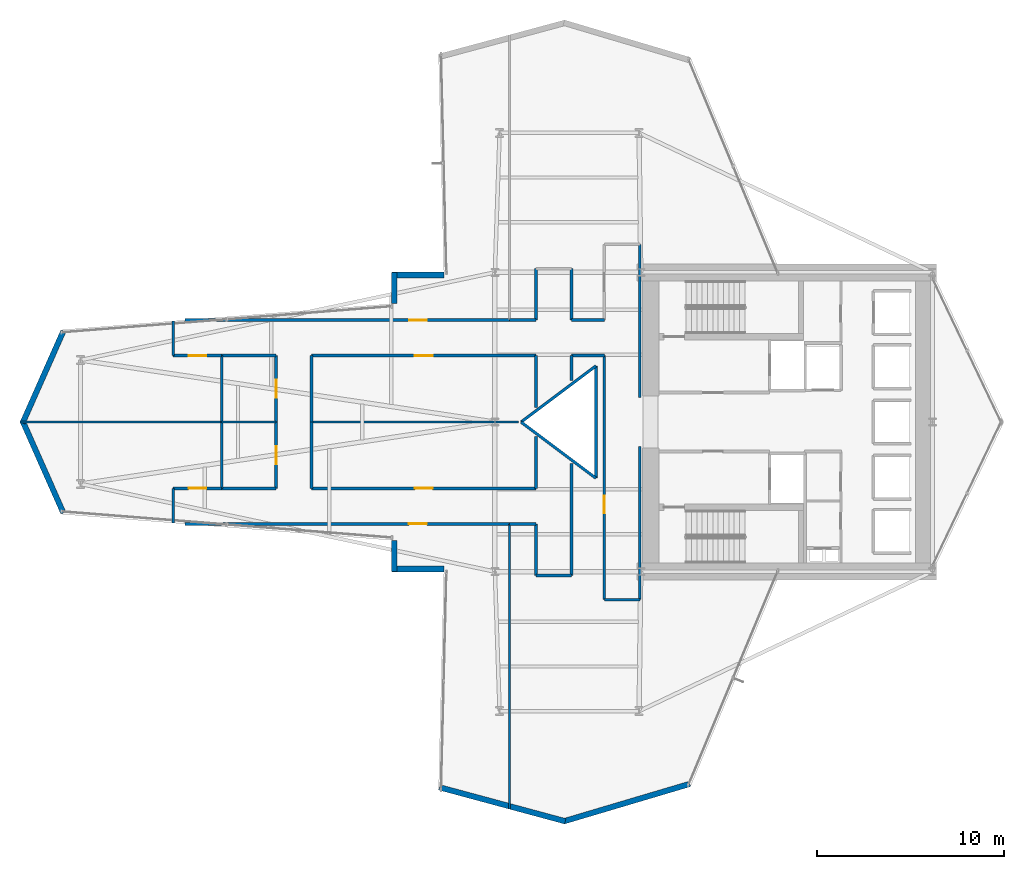
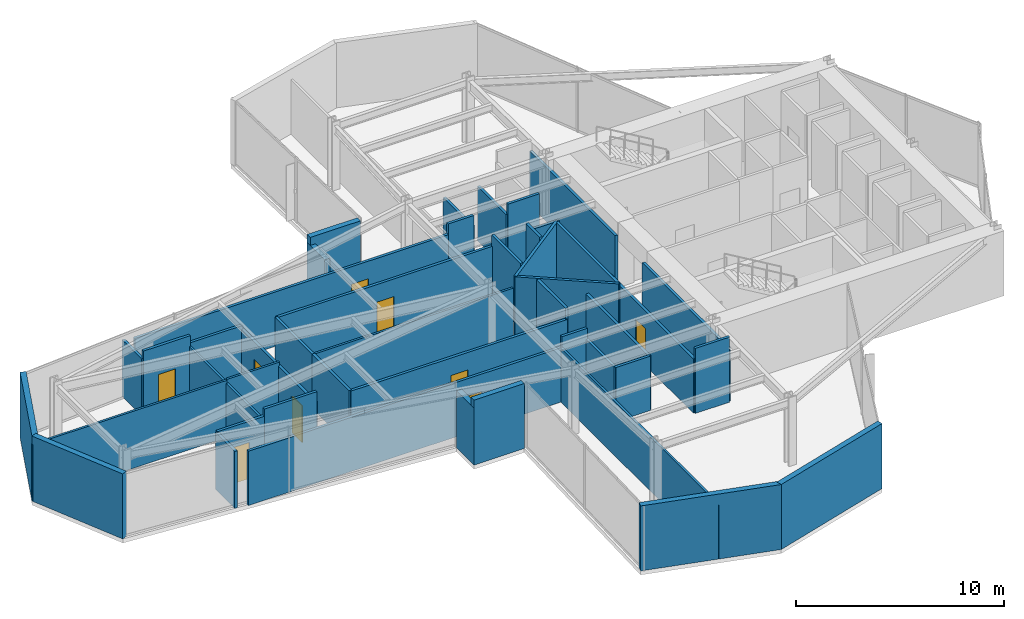
# One storey, part 21 of 24: 47 walls, 9 doors, 9 openings.
"""IFC4 building model written with IfcOpenShell, lengths in metres."""

from ifc_helpers import new_model, si_unit, direction, frame, frame_2d, origin, place, context, subcontext, project, spatial, rectangle, extrude, material, layer, layer_set, type_object, element, fill, save


model = new_model("IFC4")

# Units and contexts
model_context = context("Model", 3, precision=1e-05, world=origin(), true_north=direction((0.0, 1.0)))
body_context = subcontext(model_context, "Body", "Model", "MODEL_VIEW")
ifc_project = project(units=[si_unit("LENGTHUNIT", "METRE"), si_unit("AREAUNIT", "SQUARE_METRE"), si_unit("VOLUMEUNIT", "CUBIC_METRE"), si_unit("PLANEANGLEUNIT", "RADIAN"), si_unit("MASSUNIT", "GRAM", prefix="KILO")], contexts=[model_context])

# Site, building, storey
site_placement = place(None, origin())
site = spatial("IfcSite", under=ifc_project, at=site_placement, CompositionType="ELEMENT")
building_placement = place(site_placement, origin())
building = spatial("IfcBuilding", under=site, at=building_placement, Name="Veymaron Broadcast Tower", CompositionType="ELEMENT")
storey_placement = place(building_placement, frame((0.0, 0.0, 78.300048828125)))
storey = spatial("IfcBuildingStorey", under=building, at=storey_placement, Name="L17", CompositionType="ELEMENT", Elevation=78.300048828125)

# Walls
ifc_material_1 = material(Name="Precast concrete C40/50 with mineral-wool insulation", Category="concrete")
ifc_layer_1 = layer(ifc_material_1, 0.300048828125)
ifc_layer_set_1 = layer_set([ifc_layer_1], Name="Precast concrete C40/50 with mineral-wool insulation")
wall_type_1 = type_object("IfcWallType", Name="WALL-EXT-300", PredefinedType="STANDARD", material=ifc_layer_set_1)
wall_1_placement = place(storey_placement, frame((28.468505859375, 31.860107421875, 0.0), z_axis=(0.0, 0.0, 1.0), x_axis=(-1.0, 0.0, 0.0)))
element("IfcWall", 1, at=wall_1_placement, inside=storey, type_object=wall_type_1, Name="L17 notched corner facade pier 9-1", PredefinedType="STANDARD", context=body_context, shape_type="SweptSolid", body=[
    extrude(rectangle(XDim=2.780517578125, YDim=0.300048828125, at=frame_2d((1.39013671875, 0.0))), origin(), (0.0, 0.0, 1.0), 3.81005859375),
])
wall_2_placement = place(storey_placement, frame((25.827880859375, 32.0, 0.0), z_axis=(0.0, 0.0, 1.0), x_axis=(0.0, -1.0, 0.0)))
element("IfcWall", 2, at=wall_2_placement, inside=storey, type_object=wall_type_1, Name="L17 notched corner facade pier 10-1", PredefinedType="STANDARD", context=body_context, shape_type="SweptSolid", body=[
    extrude(rectangle(XDim=1.67529296875, YDim=0.300048828125, at=frame_2d((0.837646484375, 0.0))), origin(), (0.0, 0.0, 1.0), 3.337890625),
])
for number, where, z_axis, x_axis, name in (
    (3, (8.1279296875, 28.8701171875, 0.0), (0.0, 0.0, 1.0), (-0.405234544412, -0.914212756428, 0.0), "L17 notched corner facade pier 12-1"),
    (4, (5.944091796875, 24.056640625, 0.0), (0.0, 0.0, 1.0), (0.405234544412, -0.914212756428, 0.0), "L17 notched corner facade pier 13-1"),
):
    element("IfcWall", number, at=place(storey_placement, frame(where, z_axis=z_axis, x_axis=x_axis)), inside=storey, type_object=wall_type_1, Name=name, PredefinedType="STANDARD", context=body_context, shape_type="SweptSolid", body=[
        extrude(rectangle(XDim=5.38916015625, YDim=0.300048828125, at=frame_2d((2.694580078125, 0.0))), origin(), (0.0, 0.0, 1.0), 3.81005859375),
    ])
wall_3_placement = place(storey_placement, frame((25.827880859375, 17.67529296875, 0.0), z_axis=(0.0, 0.0, 1.0), x_axis=(0.0, -1.0, 0.0)))
element("IfcWall", 5, at=wall_3_placement, inside=storey, type_object=wall_type_1, Name="L17 notched corner facade pier 15-1", PredefinedType="STANDARD", context=body_context, shape_type="SweptSolid", body=[
    extrude(rectangle(XDim=1.67529296875, YDim=0.300048828125, at=frame_2d((0.837646484375, 0.0))), origin(), (0.0, 0.0, 1.0), 3.337890625),
])
wall_4_placement = place(storey_placement, frame((25.68798828125, 16.139892578125, 0.0), z_axis=(0.0, 0.0, 1.0), x_axis=(1.0, 0.0, 0.0)))
element("IfcWall", 6, at=wall_4_placement, inside=storey, type_object=wall_type_1, Name="L17 notched corner facade pier 16-1", PredefinedType="STANDARD", context=body_context, shape_type="SweptSolid", body=[
    extrude(rectangle(XDim=2.780517578125, YDim=0.300048828125, at=frame_2d((1.39013671875, 0.0))), origin(), (0.0, 0.0, 1.0), 3.81005859375),
])
wall_5_placement = place(storey_placement, frame((28.220458984375, 4.46923828125, 0.0), z_axis=(0.0, 0.0, 1.0), x_axis=(0.965438319853, -0.260631637679, 0.0)))
element("IfcWall", 7, at=wall_5_placement, inside=storey, type_object=wall_type_1, Name="L17 notched corner facade pier 18-1", PredefinedType="STANDARD", context=body_context, shape_type="SweptSolid", body=[
    extrude(rectangle(XDim=6.9833984375, YDim=0.300048828125, at=frame_2d((3.49169921875, 0.0))), origin(), (0.0, 0.0, 1.0), 3.81005859375),
])
wall_6_placement = place(storey_placement, frame((34.885986328125, 2.648193359375, 0.0), z_axis=(0.0, 0.0, 1.0), x_axis=(0.958632659024, 0.284646140064, 0.0)))
element("IfcWall", 8, at=wall_6_placement, inside=storey, type_object=wall_type_1, Name="L17 notched corner facade pier 19-1", PredefinedType="STANDARD", context=body_context, shape_type="SweptSolid", body=[
    extrude(rectangle(XDim=7.033203125, YDim=0.300048828125, at=frame_2d((3.5166015625, 0.0))), origin(), (0.0, 0.0, 1.0), 3.81005859375),
])

# Wall, opening, door
ifc_material_2 = material(Name="Gypsum fireboard and steel stud framing", Category="steel")
ifc_layer_2 = layer(ifc_material_2, 0.14990234375)
ifc_layer_set_2 = layer_set([ifc_layer_2], Name="Gypsum fireboard and steel stud framing")
wall_type_2 = type_object("IfcWallType", Name="WALL-FIRE-150", PredefinedType="PARTITIONING", material=ifc_layer_set_2)
wall_7_placement = place(storey_placement, frame((37.050048828125, 14.5, 0.0), z_axis=(0.0, 0.0, 1.0), x_axis=(0.0, 1.0, 0.0)))
wall_7 = element("IfcWall", 9, at=wall_7_placement, inside=storey, type_object=wall_type_2, Name="L17 partition IW-L17-P01", PredefinedType="PARTITIONING", context=body_context, shape_type="SweptSolid", body=[
    extrude(rectangle(XDim=13.050048828125, YDim=0.14990234375, at=frame_2d((6.52490234375, 0.0))), origin(), (0.0, 0.0, 1.0), 3.180908203125),
])
opening_1_placement = place(wall_7_placement, frame((4.610107421875, 0.0, 0.0)))
opening_1 = element("IfcOpeningElement", 10, at=opening_1_placement, cuts=wall_7, Name="Opening ID-RM1", PredefinedType="OPENING", context=body_context, shape_type="SweptSolid", body=[
    extrude(rectangle(XDim=0.949951171875, YDim=2.14990234375, at=frame_2d((0.47509765625, 1.074951171875))), frame((0.0, 0.0849609375, 0.0), z_axis=(0.0, -1.0, 0.0), x_axis=(1.0, 0.0, 0.0)), (0.0, 0.0, 1.0), 0.169921875),
])
ifc_material_3 = material(Name="Acoustic solid-core European oak veneer timber", Category="wood")
door_type = type_object("IfcDoorType", Name="DOOR-INT-950", OperationType="NOTDEFINED", PredefinedType="DOOR", material=ifc_material_3)
door_1_placement = place(opening_1_placement, frame((0.949951171875, 0.0, 0.0), z_axis=(0.0, 0.0, 1.0), x_axis=(-1.0, 0.0, 0.0)))
door_1 = element("IfcDoor", 11, at=door_1_placement, inside=storey, type_object=door_type, Name="L17 door DR-L17-P01", OperationType="SINGLE_SWING_RIGHT", OverallHeight=2.14990234375, OverallWidth=0.949951171875, PredefinedType="DOOR", context=body_context, shape_type="SweptSolid", body=[
    extrude(rectangle(XDim=0.949951171875, YDim=2.14990234375, at=frame_2d((0.47509765625, 1.074951171875))), frame((0.0, 0.02490234375, 0.0), z_axis=(0.0, -1.0, 0.0), x_axis=(1.0, 0.0, 0.0)), (0.0, 0.0, 1.0), 0.050048828125),
])
fill(opening_1, door_1)

wall_8_placement = place(storey_placement, frame((14.619873046875, 18.550048828125, 0.0), z_axis=(0.0, 0.0, 1.0), x_axis=(1.0, 0.0, 0.0)))
wall_8 = element("IfcWall", 12, at=wall_8_placement, inside=storey, type_object=wall_type_2, Name="L17 partition IW-L17-P10", PredefinedType="PARTITIONING", context=body_context, shape_type="SweptSolid", body=[
    extrude(rectangle(XDim=17.364013671875, YDim=0.14990234375, at=frame_2d((8.68212890625, 0.0))), origin(), (0.0, 0.0, 1.0), 3.180908203125),
])
opening_2_placement = place(wall_8_placement, frame((11.987060546875, 0.0, 0.0)))
opening_2 = element("IfcOpeningElement", 13, at=opening_2_placement, cuts=wall_8, Name="Opening ID-RM1", PredefinedType="OPENING", context=body_context, shape_type="SweptSolid", body=[
    extrude(rectangle(XDim=0.949951171875, YDim=2.14990234375, at=frame_2d((0.47509765625, 1.074951171875))), frame((0.0, 0.0849609375, 0.0), z_axis=(0.0, -1.0, 0.0), x_axis=(1.0, 0.0, 0.0)), (0.0, 0.0, 1.0), 0.169921875),
])
door_2_placement = place(opening_2_placement, frame((0.949951171875, 0.0, 0.0), z_axis=(0.0, 0.0, 1.0), x_axis=(-1.0, 0.0, 0.0)))
door_2 = element("IfcDoor", 14, at=door_2_placement, inside=storey, type_object=door_type, Name="L17 door DR-L17-P10", OperationType="SINGLE_SWING_LEFT", OverallHeight=2.14990234375, OverallWidth=0.949951171875, PredefinedType="DOOR", context=body_context, shape_type="SweptSolid", body=[
    extrude(rectangle(XDim=0.949951171875, YDim=2.14990234375, at=frame_2d((0.47509765625, 1.074951171875))), frame((0.0, 0.02490234375, 0.0), z_axis=(0.0, -1.0, 0.0), x_axis=(1.0, 0.0, 0.0)), (0.0, 0.0, 1.0), 0.050048828125),
])
fill(opening_2, door_2)

wall_9_placement = place(storey_placement, frame((14.0, 20.449951171875, 0.0), z_axis=(0.0, 0.0, 1.0), x_axis=(1.0, 0.0, 0.0)))
wall_9 = element("IfcWall", 15, at=wall_9_placement, inside=storey, type_object=wall_type_2, Name="L17 partition IW-L17-P11", PredefinedType="PARTITIONING", context=body_context, shape_type="SweptSolid", body=[
    extrude(rectangle(XDim=2.591064453125, YDim=0.14990234375, at=frame_2d((1.29541015625, 0.0))), origin(), (0.0, 0.0, 1.0), 3.390869140625),
])
opening_3_placement = place(wall_9_placement, frame((0.820556640625, 0.0, 0.0)))
opening_3 = element("IfcOpeningElement", 16, at=opening_3_placement, cuts=wall_9, Name="Opening ID-RM1", PredefinedType="OPENING", context=body_context, shape_type="SweptSolid", body=[
    extrude(rectangle(XDim=0.949951171875, YDim=2.14990234375, at=frame_2d((0.47509765625, 1.074951171875))), frame((0.0, 0.0849609375, 0.0), z_axis=(0.0, -1.0, 0.0), x_axis=(1.0, 0.0, 0.0)), (0.0, 0.0, 1.0), 0.169921875),
])
door_3_placement = place(opening_3_placement, origin())
door_3 = element("IfcDoor", 17, at=door_3_placement, inside=storey, type_object=door_type, Name="L17 door DR-L17-P11", OperationType="SINGLE_SWING_RIGHT", OverallHeight=2.14990234375, OverallWidth=0.949951171875, PredefinedType="DOOR", context=body_context, shape_type="SweptSolid", body=[
    extrude(rectangle(XDim=0.949951171875, YDim=2.14990234375, at=frame_2d((0.47509765625, 1.074951171875))), frame((0.0, 0.02490234375, 0.0), z_axis=(0.0, -1.0, 0.0), x_axis=(1.0, 0.0, 0.0)), (0.0, 0.0, 1.0), 0.050048828125),
])
fill(opening_3, door_3)

wall_10_placement = place(storey_placement, frame((21.39990234375, 20.449951171875, 0.0), z_axis=(0.0, 0.0, 1.0), x_axis=(1.0, 0.0, 0.0)))
wall_10 = element("IfcWall", 18, at=wall_10_placement, inside=storey, type_object=wall_type_2, Name="L17 partition IW-L17-P13", PredefinedType="PARTITIONING", context=body_context, shape_type="SweptSolid", body=[
    extrude(rectangle(XDim=12.0, YDim=0.14990234375, at=frame_2d((6.0, 0.0))), origin(), (0.0, 0.0, 1.0), 3.180908203125),
])
opening_4_placement = place(wall_10_placement, frame((5.52490234375, 0.0, 0.0)))
opening_4 = element("IfcOpeningElement", 19, at=opening_4_placement, cuts=wall_10, Name="Opening ID-RM1", PredefinedType="OPENING", context=body_context, shape_type="SweptSolid", body=[
    extrude(rectangle(XDim=0.949951171875, YDim=2.14990234375, at=frame_2d((0.47509765625, 1.074951171875))), frame((0.0, 0.0849609375, 0.0), z_axis=(0.0, -1.0, 0.0), x_axis=(1.0, 0.0, 0.0)), (0.0, 0.0, 1.0), 0.169921875),
])
door_4_placement = place(opening_4_placement, origin())
door_4 = element("IfcDoor", 20, at=door_4_placement, inside=storey, type_object=door_type, Name="L17 door DR-L17-P13", OperationType="SINGLE_SWING_RIGHT", OverallHeight=2.14990234375, OverallWidth=0.949951171875, PredefinedType="DOOR", context=body_context, shape_type="SweptSolid", body=[
    extrude(rectangle(XDim=0.949951171875, YDim=2.14990234375, at=frame_2d((0.47509765625, 1.074951171875))), frame((0.0, 0.02490234375, 0.0), z_axis=(0.0, -1.0, 0.0), x_axis=(1.0, 0.0, 0.0)), (0.0, 0.0, 1.0), 0.050048828125),
])
fill(opening_4, door_4)

wall_11_placement = place(storey_placement, frame((19.5, 20.449951171875, 0.0), z_axis=(0.0, 0.0, 1.0), x_axis=(0.0, 1.0, 0.0)))
wall_11 = element("IfcWall", 21, at=wall_11_placement, inside=storey, type_object=wall_type_2, Name="L17 partition IW-L17-P16", PredefinedType="PARTITIONING", context=body_context, shape_type="SweptSolid", body=[
    extrude(rectangle(XDim=3.550048828125, YDim=0.14990234375, at=frame_2d((1.77490234375, 0.0))), origin(), (0.0, 0.0, 1.0), 3.180908203125),
])
opening_5_placement = place(wall_11_placement, frame((1.300048828125, 0.0, 0.0)))
opening_5 = element("IfcOpeningElement", 22, at=opening_5_placement, cuts=wall_11, Name="Opening ID-RM1", PredefinedType="OPENING", context=body_context, shape_type="SweptSolid", body=[
    extrude(rectangle(XDim=0.949951171875, YDim=2.14990234375, at=frame_2d((0.47509765625, 1.074951171875))), frame((0.0, 0.0849609375, 0.0), z_axis=(0.0, -1.0, 0.0), x_axis=(1.0, 0.0, 0.0)), (0.0, 0.0, 1.0), 0.169921875),
])
door_5_placement = place(opening_5_placement, origin())
door_5 = element("IfcDoor", 23, at=door_5_placement, inside=storey, type_object=door_type, Name="L17 door DR-L17-P16", OperationType="SINGLE_SWING_LEFT", OverallHeight=2.14990234375, OverallWidth=0.949951171875, PredefinedType="DOOR", context=body_context, shape_type="SweptSolid", body=[
    extrude(rectangle(XDim=0.949951171875, YDim=2.14990234375, at=frame_2d((0.47509765625, 1.074951171875))), frame((0.0, 0.02490234375, 0.0), z_axis=(0.0, -1.0, 0.0), x_axis=(1.0, 0.0, 0.0)), (0.0, 0.0, 1.0), 0.050048828125),
])
fill(opening_5, door_5)

wall_12_placement = place(storey_placement, frame((19.5, 24.0, 0.0), z_axis=(0.0, 0.0, 1.0), x_axis=(0.0, 1.0, 0.0)))
wall_12 = element("IfcWall", 24, at=wall_12_placement, inside=storey, type_object=wall_type_2, Name="L17 partition IW-L17-P18", PredefinedType="PARTITIONING", context=body_context, shape_type="SweptSolid", body=[
    extrude(rectangle(XDim=3.550048828125, YDim=0.14990234375, at=frame_2d((1.77490234375, 0.0))), origin(), (0.0, 0.0, 1.0), 3.180908203125),
])
opening_6_placement = place(wall_12_placement, frame((1.300048828125, 0.0, 0.0)))
opening_6 = element("IfcOpeningElement", 25, at=opening_6_placement, cuts=wall_12, Name="Opening ID-RM1", PredefinedType="OPENING", context=body_context, shape_type="SweptSolid", body=[
    extrude(rectangle(XDim=0.949951171875, YDim=2.14990234375, at=frame_2d((0.47509765625, 1.074951171875))), frame((0.0, 0.0849609375, 0.0), z_axis=(0.0, -1.0, 0.0), x_axis=(1.0, 0.0, 0.0)), (0.0, 0.0, 1.0), 0.169921875),
])
door_6_placement = place(opening_6_placement, origin())
door_6 = element("IfcDoor", 26, at=door_6_placement, inside=storey, type_object=door_type, Name="L17 door DR-L17-P18", OperationType="SINGLE_SWING_LEFT", OverallHeight=2.14990234375, OverallWidth=0.949951171875, PredefinedType="DOOR", context=body_context, shape_type="SweptSolid", body=[
    extrude(rectangle(XDim=0.949951171875, YDim=2.14990234375, at=frame_2d((0.47509765625, 1.074951171875))), frame((0.0, 0.02490234375, 0.0), z_axis=(0.0, -1.0, 0.0), x_axis=(1.0, 0.0, 0.0)), (0.0, 0.0, 1.0), 0.050048828125),
])
fill(opening_6, door_6)

wall_13_placement = place(storey_placement, frame((21.39990234375, 27.550048828125, 0.0), z_axis=(0.0, 0.0, 1.0), x_axis=(1.0, 0.0, 0.0)))
wall_13 = element("IfcWall", 27, at=wall_13_placement, inside=storey, type_object=wall_type_2, Name="L17 partition IW-L17-P20", PredefinedType="PARTITIONING", context=body_context, shape_type="SweptSolid", body=[
    extrude(rectangle(XDim=12.0, YDim=0.14990234375, at=frame_2d((6.0, 0.0))), origin(), (0.0, 0.0, 1.0), 3.180908203125),
])
opening_7_placement = place(wall_13_placement, frame((5.52490234375, 0.0, 0.0)))
opening_7 = element("IfcOpeningElement", 28, at=opening_7_placement, cuts=wall_13, Name="Opening ID-RM1", PredefinedType="OPENING", context=body_context, shape_type="SweptSolid", body=[
    extrude(rectangle(XDim=0.949951171875, YDim=2.14990234375, at=frame_2d((0.47509765625, 1.074951171875))), frame((0.0, 0.0849609375, 0.0), z_axis=(0.0, -1.0, 0.0), x_axis=(1.0, 0.0, 0.0)), (0.0, 0.0, 1.0), 0.169921875),
])
door_7_placement = place(opening_7_placement, frame((0.949951171875, 0.0, 0.0), z_axis=(0.0, 0.0, 1.0), x_axis=(-1.0, 0.0, 0.0)))
door_7 = element("IfcDoor", 29, at=door_7_placement, inside=storey, type_object=door_type, Name="L17 door DR-L17-P20", OperationType="SINGLE_SWING_LEFT", OverallHeight=2.14990234375, OverallWidth=0.949951171875, PredefinedType="DOOR", context=body_context, shape_type="SweptSolid", body=[
    extrude(rectangle(XDim=0.949951171875, YDim=2.14990234375, at=frame_2d((0.47509765625, 1.074951171875))), frame((0.0, 0.02490234375, 0.0), z_axis=(0.0, -1.0, 0.0), x_axis=(1.0, 0.0, 0.0)), (0.0, 0.0, 1.0), 0.050048828125),
])
fill(opening_7, door_7)

wall_14_placement = place(storey_placement, frame((14.0, 27.550048828125, 0.0), z_axis=(0.0, 0.0, 1.0), x_axis=(1.0, 0.0, 0.0)))
wall_14 = element("IfcWall", 30, at=wall_14_placement, inside=storey, type_object=wall_type_2, Name="L17 partition IW-L17-P23", PredefinedType="PARTITIONING", context=body_context, shape_type="SweptSolid", body=[
    extrude(rectangle(XDim=2.591064453125, YDim=0.14990234375, at=frame_2d((1.29541015625, 0.0))), origin(), (0.0, 0.0, 1.0), 3.81005859375),
])
opening_8_placement = place(wall_14_placement, frame((0.820556640625, 0.0, 0.0)))
opening_8 = element("IfcOpeningElement", 31, at=opening_8_placement, cuts=wall_14, Name="Opening ID-RM1", PredefinedType="OPENING", context=body_context, shape_type="SweptSolid", body=[
    extrude(rectangle(XDim=0.949951171875, YDim=2.14990234375, at=frame_2d((0.47509765625, 1.074951171875))), frame((0.0, 0.0849609375, 0.0), z_axis=(0.0, -1.0, 0.0), x_axis=(1.0, 0.0, 0.0)), (0.0, 0.0, 1.0), 0.169921875),
])
door_8_placement = place(opening_8_placement, frame((0.949951171875, 0.0, 0.0), z_axis=(0.0, 0.0, 1.0), x_axis=(-1.0, 0.0, 0.0)))
door_8 = element("IfcDoor", 32, at=door_8_placement, inside=storey, type_object=door_type, Name="L17 door DR-L17-P23", OperationType="SINGLE_SWING_RIGHT", OverallHeight=2.14990234375, OverallWidth=0.949951171875, PredefinedType="DOOR", context=body_context, shape_type="SweptSolid", body=[
    extrude(rectangle(XDim=0.949951171875, YDim=2.14990234375, at=frame_2d((0.47509765625, 1.074951171875))), frame((0.0, 0.02490234375, 0.0), z_axis=(0.0, -1.0, 0.0), x_axis=(1.0, 0.0, 0.0)), (0.0, 0.0, 1.0), 0.050048828125),
])
fill(opening_8, door_8)

wall_15_placement = place(storey_placement, frame((14.619873046875, 29.449951171875, 0.0), z_axis=(0.0, 0.0, 1.0), x_axis=(1.0, 0.0, 0.0)))
wall_15 = element("IfcWall", 33, at=wall_15_placement, inside=storey, type_object=wall_type_2, Name="L17 partition IW-L17-P25", PredefinedType="PARTITIONING", context=body_context, shape_type="SweptSolid", body=[
    extrude(rectangle(XDim=17.364013671875, YDim=0.14990234375, at=frame_2d((8.68212890625, 0.0))), origin(), (0.0, 0.0, 1.0), 3.180908203125),
])
opening_9_placement = place(wall_15_placement, frame((11.987060546875, 0.0, 0.0)))
opening_9 = element("IfcOpeningElement", 34, at=opening_9_placement, cuts=wall_15, Name="Opening ID-RM1", PredefinedType="OPENING", context=body_context, shape_type="SweptSolid", body=[
    extrude(rectangle(XDim=0.949951171875, YDim=2.14990234375, at=frame_2d((0.47509765625, 1.074951171875))), frame((0.0, 0.0849609375, 0.0), z_axis=(0.0, -1.0, 0.0), x_axis=(1.0, 0.0, 0.0)), (0.0, 0.0, 1.0), 0.169921875),
])
door_9_placement = place(opening_9_placement, origin())
door_9 = element("IfcDoor", 35, at=door_9_placement, inside=storey, type_object=door_type, Name="L17 door DR-L17-P25", OperationType="SINGLE_SWING_RIGHT", OverallHeight=2.14990234375, OverallWidth=0.949951171875, PredefinedType="DOOR", context=body_context, shape_type="SweptSolid", body=[
    extrude(rectangle(XDim=0.949951171875, YDim=2.14990234375, at=frame_2d((0.47509765625, 1.074951171875))), frame((0.0, 0.02490234375, 0.0), z_axis=(0.0, -1.0, 0.0), x_axis=(1.0, 0.0, 0.0)), (0.0, 0.0, 1.0), 0.050048828125),
])
fill(opening_9, door_9)

# Walls
wall_16_placement = place(storey_placement, frame((38.949951171875, 14.5, 0.0), z_axis=(0.0, 0.0, 1.0), x_axis=(0.0, 1.0, 0.0)))
element("IfcWall", 36, at=wall_16_placement, inside=storey, type_object=wall_type_2, Name="L17 partition IW-L17-P02", PredefinedType="PARTITIONING", context=body_context, shape_type="SweptSolid", body=[
    extrude(rectangle(XDim=8.199951171875, YDim=0.14990234375, at=frame_2d((4.10009765625, 0.0))), origin(), (0.0, 0.0, 1.0), 3.180908203125),
])
wall_17_placement = place(storey_placement, frame((35.300048828125, 15.800048828125, 0.0), z_axis=(0.0, 0.0, 1.0), x_axis=(0.0, 1.0, 0.0)))
element("IfcWall", 37, at=wall_17_placement, inside=storey, type_object=wall_type_2, Name="L17 partition IW-L17-P03", PredefinedType="PARTITIONING", context=body_context, shape_type="SweptSolid", body=[
    extrude(rectangle(XDim=5.987548828125, YDim=0.14990234375, at=frame_2d((2.99365234375, 0.0))), origin(), (0.0, 0.0, 1.0), 3.180908203125),
])
wall_18_placement = place(storey_placement, frame((33.39990234375, 15.800048828125, 0.0), z_axis=(0.0, 0.0, 1.0), x_axis=(0.0, 1.0, 0.0)))
element("IfcWall", 38, at=wall_18_placement, inside=storey, type_object=wall_type_2, Name="L17 partition IW-L17-P04", PredefinedType="PARTITIONING", context=body_context, shape_type="SweptSolid", body=[
    extrude(rectangle(XDim=2.75, YDim=0.14990234375, at=frame_2d((1.375, 0.0))), origin(), (0.0, 0.0, 1.0), 3.180908203125),
])
wall_19_placement = place(storey_placement, frame((37.050048828125, 14.5, 0.0), z_axis=(0.0, 0.0, 1.0), x_axis=(1.0, 0.0, 0.0)))
element("IfcWall", 39, at=wall_19_placement, inside=storey, type_object=wall_type_2, Name="L17 partition IW-L17-P05", PredefinedType="PARTITIONING", context=body_context, shape_type="SweptSolid", body=[
    extrude(rectangle(XDim=1.89990234375, YDim=0.14990234375, at=frame_2d((0.949951171875, 0.0))), origin(), (0.0, 0.0, 1.0), 3.81005859375),
])
wall_20_placement = place(storey_placement, frame((33.39990234375, 15.800048828125, 0.0), z_axis=(0.0, 0.0, 1.0), x_axis=(1.0, 0.0, 0.0)))
element("IfcWall", 40, at=wall_20_placement, inside=storey, type_object=wall_type_2, Name="L17 partition IW-L17-P06", PredefinedType="PARTITIONING", context=body_context, shape_type="SweptSolid", body=[
    extrude(rectangle(XDim=1.900146484375, YDim=0.14990234375, at=frame_2d((0.9501953125, 0.0))), origin(), (0.0, 0.0, 1.0), 3.180908203125),
])
wall_21_placement = place(storey_placement, frame((35.300048828125, 27.550048828125, 0.0), z_axis=(0.0, 0.0, 1.0), x_axis=(1.0, 0.0, 0.0)))
element("IfcWall", 41, at=wall_21_placement, inside=storey, type_object=wall_type_2, Name="L17 partition IW-L17-P07", PredefinedType="PARTITIONING", context=body_context, shape_type="SweptSolid", body=[
    extrude(rectangle(XDim=1.75, YDim=0.14990234375, at=frame_2d((0.875, 0.0))), origin(), (0.0, 0.0, 1.0), 3.390869140625),
])
wall_22_placement = place(storey_placement, frame((31.98388671875, 18.550048828125, 0.0), z_axis=(0.0, 0.0, 1.0), x_axis=(1.0, 0.0, 0.0)))
element("IfcWall", 42, at=wall_22_placement, inside=storey, type_object=wall_type_2, Name="L17 partition IW-L17-P08", PredefinedType="PARTITIONING", context=body_context, shape_type="SweptSolid", body=[
    extrude(rectangle(XDim=1.416015625, YDim=0.14990234375, at=frame_2d((0.7080078125, 0.0))), origin(), (0.0, 0.0, 1.0), 3.81005859375),
])
wall_23_placement = place(storey_placement, frame((35.300048828125, 26.21240234375, 0.0), z_axis=(0.0, 0.0, 1.0), x_axis=(0.0, 1.0, 0.0)))
element("IfcWall", 43, at=wall_23_placement, inside=storey, type_object=wall_type_2, Name="L17 partition IW-L17-P09", PredefinedType="PARTITIONING", context=body_context, shape_type="SweptSolid", body=[
    extrude(rectangle(XDim=1.337646484375, YDim=0.14990234375, at=frame_2d((0.6689453125, 0.0))), origin(), (0.0, 0.0, 1.0), 3.81005859375),
])
wall_24_placement = place(storey_placement, frame((14.0, 18.59912109375, 0.0), z_axis=(0.0, 0.0, 1.0), x_axis=(0.0, 1.0, 0.0)))
element("IfcWall", 44, at=wall_24_placement, inside=storey, type_object=wall_type_2, Name="L17 partition IW-L17-P12", PredefinedType="PARTITIONING", context=body_context, shape_type="SweptSolid", body=[
    extrude(rectangle(XDim=1.850830078125, YDim=0.14990234375, at=frame_2d((0.92529296875, 0.0))), origin(), (0.0, 0.0, 1.0), 3.337890625),
])
wall_25_placement = place(storey_placement, frame((21.39990234375, 20.449951171875, 0.0), z_axis=(0.0, 0.0, 1.0), x_axis=(0.0, 1.0, 0.0)))
element("IfcWall", 45, at=wall_25_placement, inside=storey, type_object=wall_type_2, Name="L17 partition IW-L17-P14", PredefinedType="PARTITIONING", context=body_context, shape_type="SweptSolid", body=[
    extrude(rectangle(XDim=3.550048828125, YDim=0.14990234375, at=frame_2d((1.77490234375, 0.0))), origin(), (0.0, 0.0, 1.0), 3.180908203125),
])
wall_26_placement = place(storey_placement, frame((33.39990234375, 20.449951171875, 0.0), z_axis=(0.0, 0.0, 1.0), x_axis=(0.0, 1.0, 0.0)))
element("IfcWall", 46, at=wall_26_placement, inside=storey, type_object=wall_type_2, Name="L17 partition IW-L17-P15", PredefinedType="PARTITIONING", context=body_context, shape_type="SweptSolid", body=[
    extrude(rectangle(XDim=2.762451171875, YDim=0.14990234375, at=frame_2d((1.38134765625, 0.0))), origin(), (0.0, 0.0, 1.0), 3.81005859375),
])
wall_27_placement = place(storey_placement, frame((16.591064453125, 20.449951171875, 0.0), z_axis=(0.0, 0.0, 1.0), x_axis=(1.0, 0.0, 0.0)))
element("IfcWall", 47, at=wall_27_placement, inside=storey, type_object=wall_type_2, Name="L17 partition IW-L17-P17", PredefinedType="PARTITIONING", context=body_context, shape_type="SweptSolid", body=[
    extrude(rectangle(XDim=2.908935546875, YDim=0.14990234375, at=frame_2d((1.45458984375, 0.0))), origin(), (0.0, 0.0, 1.0), 3.81005859375),
])
wall_28_placement = place(storey_placement, frame((16.591064453125, 27.550048828125, 0.0), z_axis=(0.0, 0.0, 1.0), x_axis=(1.0, 0.0, 0.0)))
element("IfcWall", 48, at=wall_28_placement, inside=storey, type_object=wall_type_2, Name="L17 partition IW-L17-P19", PredefinedType="PARTITIONING", context=body_context, shape_type="SweptSolid", body=[
    extrude(rectangle(XDim=2.908935546875, YDim=0.14990234375, at=frame_2d((1.45458984375, 0.0))), origin(), (0.0, 0.0, 1.0), 3.390869140625),
])
wall_29_placement = place(storey_placement, frame((21.39990234375, 24.0, 0.0), z_axis=(0.0, 0.0, 1.0), x_axis=(0.0, 1.0, 0.0)))
element("IfcWall", 49, at=wall_29_placement, inside=storey, type_object=wall_type_2, Name="L17 partition IW-L17-P21", PredefinedType="PARTITIONING", context=body_context, shape_type="SweptSolid", body=[
    extrude(rectangle(XDim=3.550048828125, YDim=0.14990234375, at=frame_2d((1.77490234375, 0.0))), origin(), (0.0, 0.0, 1.0), 3.180908203125),
])
wall_30_placement = place(storey_placement, frame((33.39990234375, 24.78759765625, 0.0), z_axis=(0.0, 0.0, 1.0), x_axis=(0.0, 1.0, 0.0)))
element("IfcWall", 50, at=wall_30_placement, inside=storey, type_object=wall_type_2, Name="L17 partition IW-L17-P22", PredefinedType="PARTITIONING", context=body_context, shape_type="SweptSolid", body=[
    extrude(rectangle(XDim=2.762451171875, YDim=0.14990234375, at=frame_2d((1.38134765625, 0.0))), origin(), (0.0, 0.0, 1.0), 3.81005859375),
])
wall_31_placement = place(storey_placement, frame((14.0, 27.550048828125, 0.0), z_axis=(0.0, 0.0, 1.0), x_axis=(0.0, 1.0, 0.0)))
element("IfcWall", 51, at=wall_31_placement, inside=storey, type_object=wall_type_2, Name="L17 partition IW-L17-P24", PredefinedType="PARTITIONING", context=body_context, shape_type="SweptSolid", body=[
    extrude(rectangle(XDim=1.850830078125, YDim=0.14990234375, at=frame_2d((0.92529296875, 0.0))), origin(), (0.0, 0.0, 1.0), 3.337890625),
])
wall_32_placement = place(storey_placement, frame((38.949951171875, 25.300048828125, 0.0), z_axis=(0.0, 0.0, 1.0), x_axis=(0.0, 1.0, 0.0)))
element("IfcWall", 52, at=wall_32_placement, inside=storey, type_object=wall_type_2, Name="L17 partition IW-L17-P26", PredefinedType="PARTITIONING", context=body_context, shape_type="SweptSolid", body=[
    extrude(rectangle(XDim=8.199951171875, YDim=0.14990234375, at=frame_2d((4.10009765625, 0.0))), origin(), (0.0, 0.0, 1.0), 3.180908203125),
])
for number, where, z_axis, x_axis, name in (
    (53, (33.39990234375, 29.449951171875, 0.0), (0.0, 0.0, 1.0), (0.0, 1.0, 0.0), "L17 partition IW-L17-P28"),
    (54, (35.300048828125, 29.449951171875, 0.0), (0.0, 0.0, 1.0), (0.0, 1.0, 0.0), "L17 partition IW-L17-P29"),
):
    element("IfcWall", number, at=place(storey_placement, frame(where, z_axis=z_axis, x_axis=x_axis)), inside=storey, type_object=wall_type_2, Name=name, PredefinedType="PARTITIONING", context=body_context, shape_type="SweptSolid", body=[
        extrude(rectangle(XDim=2.75, YDim=0.14990234375, at=frame_2d((1.375, 0.0))), origin(), (0.0, 0.0, 1.0), 3.180908203125),
    ])
wall_33_placement = place(storey_placement, frame((35.300048828125, 29.449951171875, 0.0), z_axis=(0.0, 0.0, 1.0), x_axis=(1.0, 0.0, 0.0)))
element("IfcWall", 55, at=wall_33_placement, inside=storey, type_object=wall_type_2, Name="L17 partition IW-L17-P32", PredefinedType="PARTITIONING", context=body_context, shape_type="SweptSolid", body=[
    extrude(rectangle(XDim=1.75, YDim=0.14990234375, at=frame_2d((0.875, 0.0))), origin(), (0.0, 0.0, 1.0), 3.81005859375),
])
wall_34_placement = place(storey_placement, frame((31.98388671875, 29.449951171875, 0.0), z_axis=(0.0, 0.0, 1.0), x_axis=(1.0, 0.0, 0.0)))
element("IfcWall", 56, at=wall_34_placement, inside=storey, type_object=wall_type_2, Name="L17 partition IW-L17-P33", PredefinedType="PARTITIONING", context=body_context, shape_type="SweptSolid", body=[
    extrude(rectangle(XDim=1.416015625, YDim=0.14990234375, at=frame_2d((0.7080078125, 0.0))), origin(), (0.0, 0.0, 1.0), 3.81005859375),
])
ifc_material_4 = material(Name="Fire-rated laminated glass in aluminium frame", Category="aluminium")
ifc_layer_3 = layer(ifc_material_4, 0.14990234375)
ifc_layer_set_3 = layer_set([ifc_layer_3], Name="Fire-rated laminated glass in aluminium frame")
wall_type_3 = type_object("IfcWallType", Name="WALL-GLZ-150", PredefinedType="MOVABLE", material=ifc_layer_set_3)
wall_35_placement = place(storey_placement, frame((32.60009765625, 24.0, 0.0), z_axis=(0.0, 0.0, 1.0), x_axis=(0.8, -0.6, 0.0)))
element("IfcWall", 57, at=wall_35_placement, inside=storey, type_object=wall_type_3, Name="L17 partition IW-L17-ATR1", PredefinedType="MOVABLE", context=body_context, shape_type="SweptSolid", body=[
    extrude(rectangle(XDim=5.0, YDim=0.14990234375, at=frame_2d((2.5, 0.0))), origin(), (0.0, 0.0, 1.0), 3.81005859375),
])
wall_36_placement = place(storey_placement, frame((36.60009765625, 21.0, 0.0), z_axis=(0.0, 0.0, 1.0), x_axis=(0.0, 1.0, 0.0)))
element("IfcWall", 58, at=wall_36_placement, inside=storey, type_object=wall_type_3, Name="L17 partition IW-L17-ATR2", PredefinedType="MOVABLE", context=body_context, shape_type="SweptSolid", body=[
    extrude(rectangle(XDim=6.0, YDim=0.14990234375, at=frame_2d((3.0, 0.0))), origin(), (0.0, 0.0, 1.0), 3.81005859375),
])
wall_37_placement = place(storey_placement, frame((36.60009765625, 27.0, 0.0), z_axis=(0.0, 0.0, 1.0), x_axis=(-0.8, -0.6, 0.0)))
element("IfcWall", 59, at=wall_37_placement, inside=storey, type_object=wall_type_3, Name="L17 partition IW-L17-ATR3", PredefinedType="MOVABLE", context=body_context, shape_type="SweptSolid", body=[
    extrude(rectangle(XDim=5.0, YDim=0.14990234375, at=frame_2d((2.5, 0.0))), origin(), (0.0, 0.0, 1.0), 3.81005859375),
])
ifc_material_5 = material(Name="Acoustic gypsum board and galvanized stud", Category="gypsum")
ifc_layer_4 = layer(ifc_material_5, 0.1201171875)
ifc_layer_set_4 = layer_set([ifc_layer_4], Name="Acoustic gypsum board and galvanized stud")
wall_type_4 = type_object("IfcWallType", Name="WALL-PART-120", PredefinedType="PARTITIONING", material=ifc_layer_set_4)
wall_38_placement = place(storey_placement, frame((31.98388671875, 3.30810546875, 0.0), z_axis=(0.0, 0.0, 1.0), x_axis=(0.0, 1.0, 0.0)))
element("IfcWall", 60, at=wall_38_placement, inside=storey, type_object=wall_type_4, Name="L17 partition IW-L17-P34", PredefinedType="PARTITIONING", context=body_context, shape_type="SweptSolid", body=[
    extrude(rectangle(XDim=15.241943359375, YDim=0.1201171875, at=frame_2d((7.62109375, 0.0))), origin(), (0.0, 0.0, 1.0), 3.180908203125),
])
wall_39_placement = place(storey_placement, frame((16.591064453125, 20.449951171875, 0.0), z_axis=(0.0, 0.0, 1.0), x_axis=(0.0, 1.0, 0.0)))
element("IfcWall", 61, at=wall_39_placement, inside=storey, type_object=wall_type_4, Name="L17 partition IW-L17-P35", PredefinedType="PARTITIONING", context=body_context, shape_type="SweptSolid", body=[
    extrude(rectangle(XDim=3.550048828125, YDim=0.1201171875, at=frame_2d((1.77490234375, 0.0))), origin(), (0.0, 0.0, 1.0), 3.180908203125),
])
wall_40_placement = place(storey_placement, frame((5.81591796875, 24.0, 0.0), z_axis=(0.0, 0.0, 1.0), x_axis=(1.0, 0.0, 0.0)))
element("IfcWall", 62, at=wall_40_placement, inside=storey, type_object=wall_type_4, Name="L17 partition IW-L17-P36", PredefinedType="PARTITIONING", context=body_context, shape_type="SweptSolid", body=[
    extrude(rectangle(XDim=10.775146484375, YDim=0.1201171875, at=frame_2d((5.3876953125, 0.0))), origin(), (0.0, 0.0, 1.0), 3.337890625),
])
wall_41_placement = place(storey_placement, frame((21.39990234375, 24.0, 0.0), z_axis=(0.0, 0.0, 1.0), x_axis=(1.0, 0.0, 0.0)))
element("IfcWall", 63, at=wall_41_placement, inside=storey, type_object=wall_type_4, Name="L17 partition IW-L17-P37", PredefinedType="PARTITIONING", context=body_context, shape_type="SweptSolid", body=[
    extrude(rectangle(XDim=11.05029296875, YDim=0.1201171875, at=frame_2d((5.525146484375, 0.0))), origin(), (0.0, 0.0, 1.0), 3.180908203125),
])
wall_42_placement = place(storey_placement, frame((16.591064453125, 24.0, 0.0), z_axis=(0.0, 0.0, 1.0), x_axis=(1.0, 0.0, 0.0)))
element("IfcWall", 64, at=wall_42_placement, inside=storey, type_object=wall_type_4, Name="L17 partition IW-L17-P38", PredefinedType="PARTITIONING", context=body_context, shape_type="SweptSolid", body=[
    extrude(rectangle(XDim=2.908935546875, YDim=0.1201171875, at=frame_2d((1.45458984375, 0.0))), origin(), (0.0, 0.0, 1.0), 3.390869140625),
])
wall_43_placement = place(storey_placement, frame((16.591064453125, 24.0, 0.0), z_axis=(0.0, 0.0, 1.0), x_axis=(0.0, 1.0, 0.0)))
element("IfcWall", 65, at=wall_43_placement, inside=storey, type_object=wall_type_4, Name="L17 partition IW-L17-P39", PredefinedType="PARTITIONING", context=body_context, shape_type="SweptSolid", body=[
    extrude(rectangle(XDim=3.550048828125, YDim=0.1201171875, at=frame_2d((1.77490234375, 0.0))), origin(), (0.0, 0.0, 1.0), 3.180908203125),
])

save(model, "model.ifc")
